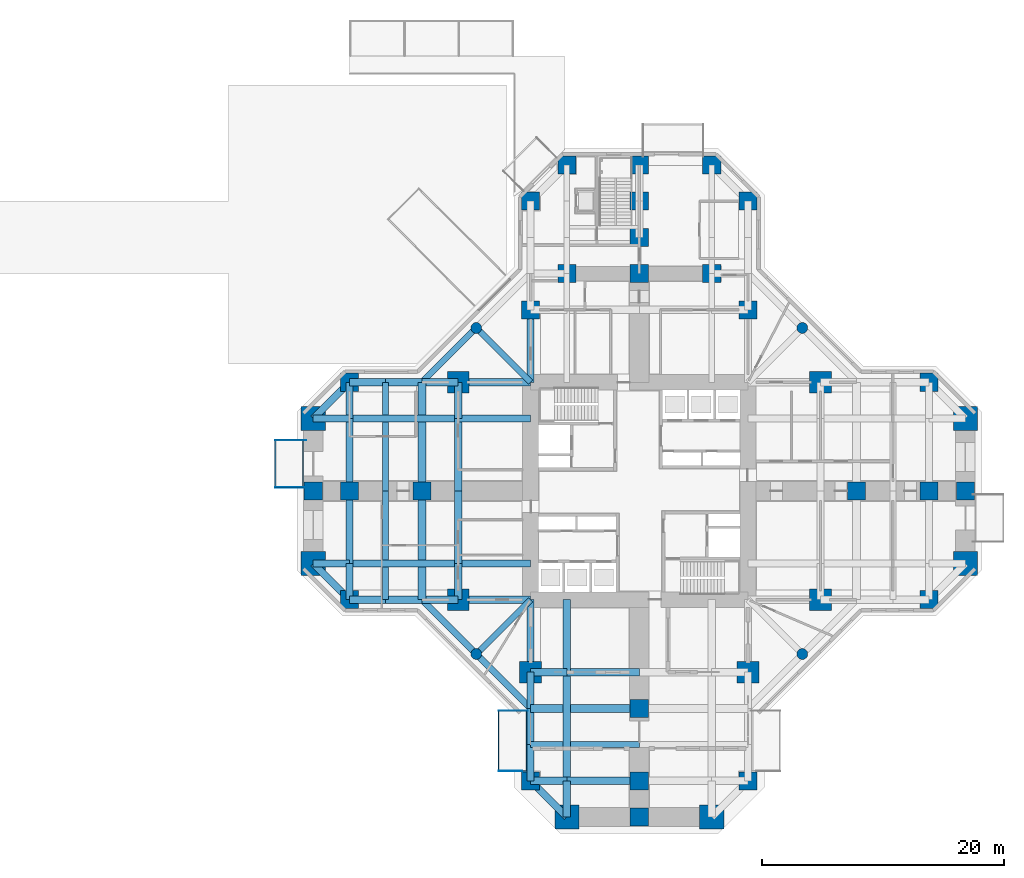
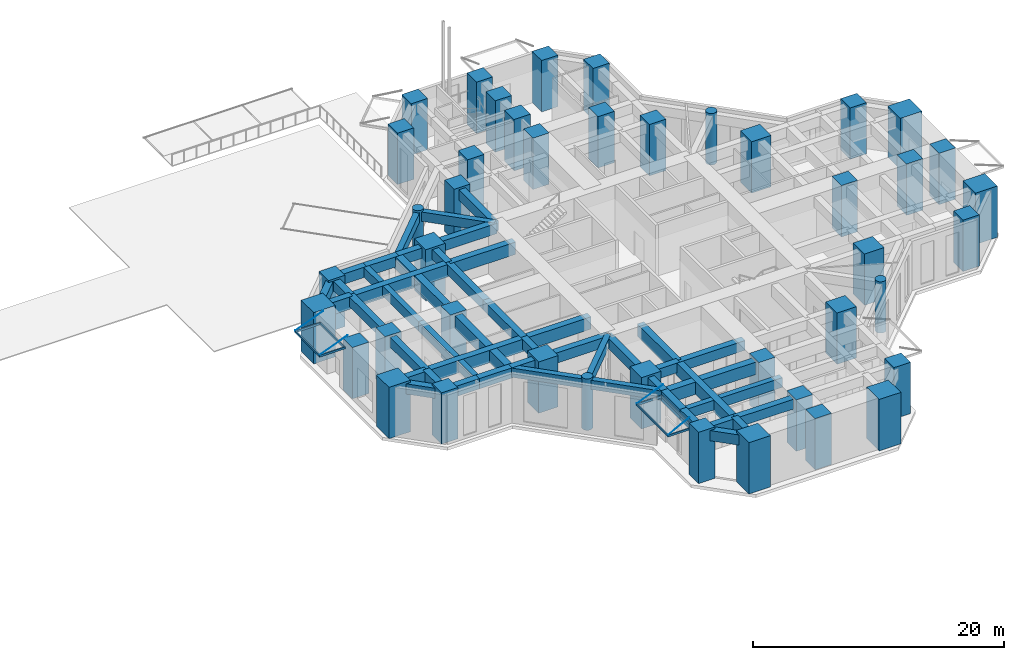
# One storey, part 1 of 14: 54 beams, 43 columns, 12 members.
"""IFC4 building model written with IfcOpenShell, lengths in metres."""

from ifc_helpers import new_model, si_unit, direction, frame, origin, origin_2d, place, context, subcontext, project, spatial, rectangle, hollow_rectangle, circle, extrude, material, material_profile, profile_set, type_object, element, save


model = new_model("IFC4")

# Units and contexts
model_context = context("Model", 3, precision=1e-05, world=origin(), true_north=direction((0.0, 1.0)))
body_context = subcontext(model_context, "Body", "Model", "MODEL_VIEW")
ifc_project = project(units=[si_unit("LENGTHUNIT", "METRE"), si_unit("AREAUNIT", "SQUARE_METRE"), si_unit("VOLUMEUNIT", "CUBIC_METRE"), si_unit("PLANEANGLEUNIT", "RADIAN"), si_unit("MASSUNIT", "GRAM", prefix="KILO")], contexts=[model_context])

# Site, building, storey
site_placement = place(None, origin())
site = spatial("IfcSite", under=ifc_project, at=site_placement, CompositionType="ELEMENT")
building_placement = place(site_placement, origin())
building = spatial("IfcBuilding", under=site, at=building_placement, Name="Torre Cruceta", CompositionType="ELEMENT")
storey_placement = place(building_placement, origin())
storey = spatial("IfcBuildingStorey", under=building, at=storey_placement, Name="L00", CompositionType="ELEMENT", Elevation=0.0)

# Columns
ifc_material_1 = material(Name="Concrete G60 (fck 60 MPa)", Category="concrete")
ifc_material_profile_1 = material_profile(ifc_material_1, rectangle(XDim=1.5, YDim=1.5, at=origin_2d()), Name="RC 1500X1500")
ifc_profile_set_1 = profile_set([ifc_material_profile_1], Name="Concrete G60 (fck 60 MPa)")
column_type_1 = type_object("IfcColumnType", Name="COLUMN RC 1500X1500", PredefinedType="COLUMN", material=ifc_profile_set_1)
for number, where, z_axis, x_axis, name in (
    (1, (9.0, 15.0, 0.0), (0.0, 0.0, 1.0), (1.0, 0.0, 0.0), "C0 L00 N side"),
    (2, (9.0, 24.0, 0.0), (0.0, 0.0, 1.0), (1.0, 0.0, 0.0), "C0 L00 N chamfer"),
    (3, (-9.0, 15.0, 0.0), (0.0, 0.0, 1.0), (1.0, 0.0, 0.0), "C0 L00 N side"),
    (4, (-9.0, 24.0, 0.0), (0.0, 0.0, 1.0), (1.0, 0.0, 0.0), "C0 L00 N chamfer"),
    (5, (6.0, 27.0, 0.0), (0.0, 0.0, 1.0), (1.0, 0.0, 0.0), "C0 L00 N tip"),
    (6, (0.0, 27.0, 0.0), (0.0, 0.0, 1.0), (1.0, 0.0, 0.0), "C0 L00 N tip"),
    (7, (-6.0, 27.0, 0.0), (0.0, 0.0, 1.0), (1.0, 0.0, 0.0), "C0 L00 N tip"),
    (8, (24.0, -9.0, 0.0), (0.0, 0.0, 1.0), (1.0, 0.0, 0.0), "C0 L00 E chamfer"),
    (9, (24.0, 9.0, 0.0), (0.0, 0.0, 1.0), (1.0, 0.0, 0.0), "C0 L00 E chamfer"),
    (10, (27.0, 0.0, 0.0), (0.0, 0.0, 1.0), (1.0, 0.0, 0.0), "C0 L00 E tip"),
    (11, (-9.0, -24.0, 0.0), (0.0, 0.0, 1.0), (1.0, 0.0, 0.0), "C0 L00 S chamfer"),
    (12, (9.0, -24.0, 0.0), (0.0, 0.0, 1.0), (1.0, 0.0, 0.0), "C0 L00 S chamfer"),
    (13, (0.0, -27.0, 0.0), (0.0, 0.0, 1.0), (1.0, 0.0, 0.0), "C0 L00 S tip"),
    (14, (-24.0, 9.0, 0.0), (0.0, 0.0, 1.0), (1.0, 0.0, 0.0), "C0 L00 W chamfer"),
    (15, (-24.0, -9.0, 0.0), (0.0, 0.0, 1.0), (1.0, 0.0, 0.0), "C0 L00 W chamfer"),
    (16, (-27.0, 0.0, 0.0), (0.0, 0.0, 1.0), (1.0, 0.0, 0.0), "C0 L00 W tip"),
    (17, (6.0, 18.0, 0.0), (0.0, 0.0, 1.0), (1.0, 0.0, 0.0), "C0 L00 N interior"),
    (18, (0.0, 18.0, 0.0), (0.0, 0.0, 1.0), (1.0, 0.0, 0.0), "C0 L00 N interior"),
    (19, (-6.0, 18.0, 0.0), (0.0, 0.0, 1.0), (1.0, 0.0, 0.0), "C0 L00 N interior"),
    (20, (0.0, 21.0, 0.0), (0.0, 0.0, 1.0), (1.0, 0.0, 0.0), "C0 L00 N interior"),
    (21, (0.0, 24.0, 0.0), (0.0, 0.0, 1.0), (1.0, 0.0, 0.0), "C0 L00 N interior"),
    (22, (18.0, 0.0, 0.0), (0.0, 0.0, 1.0), (1.0, 0.0, 0.0), "C0 L00 E interior"),
    (23, (24.0, 0.0, 0.0), (0.0, 0.0, 1.0), (1.0, 0.0, 0.0), "C0 L00 E interior"),
    (24, (0.0, -18.0, 0.0), (0.0, 0.0, 1.0), (1.0, 0.0, 0.0), "C0 L00 S interior"),
    (25, (0.0, -24.0, 0.0), (0.0, 0.0, 1.0), (1.0, 0.0, 0.0), "C0 L00 S interior"),
    (26, (-18.0, 0.0, 0.0), (0.0, 0.0, 1.0), (1.0, 0.0, 0.0), "C0 L00 W interior"),
    (27, (-24.0, 0.0, 0.0), (0.0, 0.0, 1.0), (1.0, 0.0, 0.0), "C0 L00 W interior"),
):
    element("IfcColumn", number, at=place(storey_placement, frame(where, z_axis=z_axis, x_axis=x_axis)), inside=storey, type_object=column_type_1, Name=name, PredefinedType="COLUMN", context=body_context, shape_type="SweptSolid", body=[
        extrude(rectangle(XDim=1.5, YDim=1.5, at=origin_2d()), origin(), (0.0, 0.0, 1.0), 5.0),
    ])
ifc_material_2 = material(Name="Concrete G60 (fck 60 MPa)", Category="concrete")
ifc_material_profile_2 = material_profile(ifc_material_2, rectangle(XDim=1.800048828125, YDim=1.800048828125, at=origin_2d()), Name="RC 1800X1800")
ifc_profile_set_2 = profile_set([ifc_material_profile_2], Name="Concrete G60 (fck 60 MPa)")
column_type_2 = type_object("IfcColumnType", Name="COLUMN RC 1800X1800", PredefinedType="COLUMN", material=ifc_profile_set_2)
for number, where, z_axis, x_axis, name in (
    (28, (15.0, -9.0, 0.0), (0.0, 0.0, 1.0), (1.0, 0.0, 0.0), "CB L00 E side"),
    (29, (15.0, 9.0, 0.0), (0.0, 0.0, 1.0), (1.0, 0.0, 0.0), "CB L00 E side"),
    (30, (-9.0, -15.0, 0.0), (0.0, 0.0, 1.0), (1.0, 0.0, 0.0), "CB L00 S side"),
    (31, (9.0, -15.0, 0.0), (0.0, 0.0, 1.0), (1.0, 0.0, 0.0), "CB L00 S side"),
    (32, (-15.0, 9.0, 0.0), (0.0, 0.0, 1.0), (1.0, 0.0, 0.0), "CB L00 W side"),
    (33, (-15.0, -9.0, 0.0), (0.0, 0.0, 1.0), (1.0, 0.0, 0.0), "CB L00 W side"),
):
    element("IfcColumn", number, at=place(storey_placement, frame(where, z_axis=z_axis, x_axis=x_axis)), inside=storey, type_object=column_type_2, Name=name, PredefinedType="COLUMN", context=body_context, shape_type="SweptSolid", body=[
        extrude(rectangle(XDim=1.800048828125, YDim=1.800048828125, at=origin_2d()), origin(), (0.0, 0.0, 1.0), 5.0),
    ])
ifc_material_3 = material(Name="Concrete G60 (fck 60 MPa)", Category="concrete")
ifc_material_profile_3 = material_profile(ifc_material_3, rectangle(XDim=2.0, YDim=2.0, at=origin_2d()), Name="RC 2000X2000")
ifc_profile_set_3 = profile_set([ifc_material_profile_3], Name="Concrete G60 (fck 60 MPa)")
column_type_3 = type_object("IfcColumnType", Name="COLUMN RC 2000X2000", PredefinedType="COLUMN", material=ifc_profile_set_3)
for number, where, z_axis, x_axis, name in (
    (34, (27.0, -6.0, 0.0), (0.0, 0.0, 1.0), (1.0, 0.0, 0.0), "CA L00 E tip"),
    (35, (27.0, 6.0, 0.0), (0.0, 0.0, 1.0), (1.0, 0.0, 0.0), "CA L00 E tip"),
    (36, (-6.0, -27.0, 0.0), (0.0, 0.0, 1.0), (1.0, 0.0, 0.0), "CA L00 S tip"),
    (37, (6.0, -27.0, 0.0), (0.0, 0.0, 1.0), (1.0, 0.0, 0.0), "CA L00 S tip"),
    (38, (-27.0, 6.0, 0.0), (0.0, 0.0, 1.0), (1.0, 0.0, 0.0), "CA L00 W tip"),
    (39, (-27.0, -6.0, 0.0), (0.0, 0.0, 1.0), (1.0, 0.0, 0.0), "CA L00 W tip"),
):
    element("IfcColumn", number, at=place(storey_placement, frame(where, z_axis=z_axis, x_axis=x_axis)), inside=storey, type_object=column_type_3, Name=name, PredefinedType="COLUMN", context=body_context, shape_type="SweptSolid", body=[
        extrude(rectangle(XDim=2.0, YDim=2.0, at=origin_2d()), origin(), (0.0, 0.0, 1.0), 5.0),
    ])
ifc_material_4 = material(Name="Concrete G60 (fck 60 MPa)", Category="concrete")
ifc_material_profile_4 = material_profile(ifc_material_4, circle(Radius=0.449951171875, at=origin_2d()), Name="RC D900")
ifc_profile_set_4 = profile_set([ifc_material_profile_4], Name="Concrete G60 (fck 60 MPa)")
column_type_4 = type_object("IfcColumnType", Name="COLUMN RC D900", PredefinedType="COLUMN", material=ifc_profile_set_4)
for number, where, z_axis, x_axis, name in (
    (40, (-13.5, 13.5, 0.0), (0.0, 0.0, 1.0), (1.0, 0.0, 0.0), "C9 L00 N wing"),
    (41, (13.5, 13.5, 0.0), (0.0, 0.0, 1.0), (1.0, 0.0, 0.0), "C9 L00 E wing"),
    (42, (13.5, -13.5, 0.0), (0.0, 0.0, 1.0), (1.0, 0.0, 0.0), "C9 L00 S wing"),
    (43, (-13.5, -13.5, 0.0), (0.0, 0.0, 1.0), (1.0, 0.0, 0.0), "C9 L00 W wing"),
):
    element("IfcColumn", number, at=place(storey_placement, frame(where, z_axis=z_axis, x_axis=x_axis)), inside=storey, type_object=column_type_4, Name=name, PredefinedType="COLUMN", context=body_context, shape_type="SweptSolid", body=[
        extrude(circle(Radius=0.449951171875, at=origin_2d()), origin(), (0.0, 0.0, 1.0), 5.0),
    ])

# Members
ifc_material_5 = material(Name="Steel S355", Category="steel")
ifc_material_profile_5 = material_profile(ifc_material_5, hollow_rectangle(XDim=0.10009765625, YDim=0.199951171875, WallThickness=0.008056640625, at=origin_2d()), Name="RHS200X100X8")
ifc_profile_set_5 = profile_set([ifc_material_profile_5], Name="Steel S355")
member_type_1 = type_object("IfcMemberType", Name="CANOPY FRAME RHS200X100X8", PredefinedType="USERDEFINED", material=ifc_profile_set_5)
for number, where, z_axis, x_axis, name in (
    (44, (-9.35009765625, -23.14990234375, 4.39990234375), (0.0, 1.0, 0.0), (-1.0, 0.0, 0.0), "CN1 canopy 4 frame B"),
    (45, (-11.64990234375, -23.14990234375, 4.39990234375), (0.0, 1.0, 0.0), (-1.0, 0.0, 0.0), "CN1 canopy 4 frame F"),
):
    element("IfcMember", number, at=place(storey_placement, frame(where, z_axis=z_axis, x_axis=x_axis)), inside=storey, type_object=member_type_1, Name=name, ObjectType="CANOPY FRAME", PredefinedType="USERDEFINED", context=body_context, shape_type="SweptSolid", body=[
        extrude(hollow_rectangle(XDim=0.10009765625, YDim=0.199951171875, WallThickness=0.008056640625, at=origin_2d()), origin(), (0.0, 0.0, 1.0), 4.89990234375),
    ])
for number, where, z_axis, x_axis, name in (
    (46, (-9.300048828125, -23.199951171875, 4.39990234375), (-1.0, 0.0, 0.0), (0.0, -1.0, 0.0), "CN1 canopy 4 frame L"),
    (47, (-9.300048828125, -18.199951171875, 4.39990234375), (-1.0, 0.0, 0.0), (0.0, -1.0, 0.0), "CN1 canopy 4 frame R"),
):
    element("IfcMember", number, at=place(storey_placement, frame(where, z_axis=z_axis, x_axis=x_axis)), inside=storey, type_object=member_type_1, Name=name, ObjectType="CANOPY FRAME", PredefinedType="USERDEFINED", context=body_context, shape_type="SweptSolid", body=[
        extrude(hollow_rectangle(XDim=0.10009765625, YDim=0.199951171875, WallThickness=0.008056640625, at=origin_2d()), origin(), (0.0, 0.0, 1.0), 2.39990234375),
    ])
for number, where, z_axis, x_axis, name in (
    (48, (-27.85009765625, 4.14990234375, 4.39990234375), (0.0, -1.0, 0.0), (1.0, 0.0, 0.0), "CN1 canopy 6 frame B"),
    (49, (-30.14990234375, 4.14990234375, 4.39990234375), (0.0, -1.0, 0.0), (1.0, 0.0, 0.0), "CN1 canopy 6 frame F"),
):
    element("IfcMember", number, at=place(storey_placement, frame(where, z_axis=z_axis, x_axis=x_axis)), inside=storey, type_object=member_type_1, Name=name, ObjectType="CANOPY FRAME", PredefinedType="USERDEFINED", context=body_context, shape_type="SweptSolid", body=[
        extrude(hollow_rectangle(XDim=0.10009765625, YDim=0.199951171875, WallThickness=0.008056640625, at=origin_2d()), origin(), (0.0, 0.0, 1.0), 3.7998046875),
    ])
for number, where, z_axis, x_axis, name in (
    (50, (-27.800048828125, 4.199951171875, 4.39990234375), (-1.0, 0.0, 0.0), (0.0, -1.0, 0.0), "CN1 canopy 6 frame L"),
    (51, (-27.800048828125, 0.300048828125, 4.39990234375), (-1.0, 0.0, 0.0), (0.0, -1.0, 0.0), "CN1 canopy 6 frame R"),
):
    element("IfcMember", number, at=place(storey_placement, frame(where, z_axis=z_axis, x_axis=x_axis)), inside=storey, type_object=member_type_1, Name=name, ObjectType="CANOPY FRAME", PredefinedType="USERDEFINED", context=body_context, shape_type="SweptSolid", body=[
        extrude(hollow_rectangle(XDim=0.10009765625, YDim=0.199951171875, WallThickness=0.008056640625, at=origin_2d()), origin(), (0.0, 0.0, 1.0), 2.39990234375),
    ])
ifc_material_6 = material(Name="Steel S355", Category="steel")
ifc_material_profile_6 = material_profile(ifc_material_6, circle(Radius=0.014892578125, at=origin_2d()), Name="ROD D30")
ifc_profile_set_6 = profile_set([ifc_material_profile_6], Name="Steel S355")
member_type_2 = type_object("IfcMemberType", Name="CANOPY TIE ROD D30", PredefinedType="USERDEFINED", material=ifc_profile_set_6)
member_1_placement = place(storey_placement, frame((-11.64990234375, -23.199951171875, 4.5), z_axis=(0.889812823198, 0.0, 0.456325694731), x_axis=(0.0, 1.0, 0.0)))
element("IfcMember", 52, at=member_1_placement, inside=storey, type_object=member_type_2, Name="CN2 canopy 4 tie rod 1", ObjectType="TIE ROD", PredefinedType="USERDEFINED", context=body_context, shape_type="SweptSolid", body=[
    extrude(circle(Radius=0.014892578125, at=origin_2d()), origin(), (0.0, 0.0, 1.0), 2.19140625),
])
member_2_placement = place(storey_placement, frame((-11.64990234375, -18.199951171875, 4.5), z_axis=(0.923071366561, 0.0, 0.384628719983), x_axis=(0.0, 1.0, 0.0)))
element("IfcMember", 53, at=member_2_placement, inside=storey, type_object=member_type_2, Name="CN2 canopy 4 tie rod 2", ObjectType="TIE ROD", PredefinedType="USERDEFINED", context=body_context, shape_type="SweptSolid", body=[
    extrude(circle(Radius=0.014892578125, at=origin_2d()), origin(), (0.0, 0.0, 1.0), 2.599853515625),
])
for number, where, z_axis, x_axis, name in (
    (54, (-30.14990234375, 4.199951171875, 4.5), (0.930963693221, 0.0, 0.365111766319), (0.0, 1.0, 0.0), "CN2 canopy 6 tie rod 1"),
    (55, (-30.14990234375, 0.300048828125, 4.5), (0.930963693221, 0.0, 0.365111766319), (0.0, 1.0, 0.0), "CN2 canopy 6 tie rod 2"),
):
    element("IfcMember", number, at=place(storey_placement, frame(where, z_axis=z_axis, x_axis=x_axis)), inside=storey, type_object=member_type_2, Name=name, ObjectType="TIE ROD", PredefinedType="USERDEFINED", context=body_context, shape_type="SweptSolid", body=[
        extrude(circle(Radius=0.014892578125, at=origin_2d()), origin(), (0.0, 0.0, 1.0), 2.73876953125),
    ])

# Beams
ifc_material_7 = material(Name="Concrete G60 (fck 60 MPa)", Category="concrete")
ifc_material_profile_7 = material_profile(ifc_material_7, rectangle(XDim=0.60009765625, YDim=1.199951171875, at=origin_2d()), Name="RC 600X1200")
ifc_profile_set_7 = profile_set([ifc_material_profile_7], Name="Concrete G60 (fck 60 MPa)")
beam_type_1 = type_object("IfcBeamType", Name="COLUMN LINE BEAM RC 600X1200", PredefinedType="BEAM", material=ifc_profile_set_7)
beam_1_placement = place(storey_placement, frame((-6.0, -9.0, 4.199951171875), z_axis=(0.0, -1.0, 0.0), x_axis=(1.0, 0.0, 0.0)))
element("IfcBeam", 56, at=beam_1_placement, inside=storey, type_object=beam_type_1, Name="LB2 L00 S col- 1", PredefinedType="BEAM", context=body_context, shape_type="SweptSolid", body=[
    extrude(rectangle(XDim=0.60009765625, YDim=1.199951171875, at=origin_2d()), origin(), (0.0, 0.0, 1.0), 6.0),
])
beam_2_placement = place(storey_placement, frame((-6.0, -15.0, 4.199951171875), z_axis=(0.0, -1.0, 0.0), x_axis=(1.0, 0.0, 0.0)))
element("IfcBeam", 57, at=beam_2_placement, inside=storey, type_object=beam_type_1, Name="LB2 L00 S col- 2", PredefinedType="BEAM", context=body_context, shape_type="SweptSolid", body=[
    extrude(rectangle(XDim=0.60009765625, YDim=1.199951171875, at=origin_2d()), origin(), (0.0, 0.0, 1.0), 9.0),
])
beam_3_placement = place(storey_placement, frame((-6.0, -24.0, 4.199951171875), z_axis=(0.0, -1.0, 0.0), x_axis=(1.0, 0.0, 0.0)))
element("IfcBeam", 58, at=beam_3_placement, inside=storey, type_object=beam_type_1, Name="LB2 L00 S col- 5", PredefinedType="BEAM", context=body_context, shape_type="SweptSolid", body=[
    extrude(rectangle(XDim=0.60009765625, YDim=1.199951171875, at=origin_2d()), origin(), (0.0, 0.0, 1.0), 3.0),
])
beam_4_placement = place(storey_placement, frame((-9.0, 6.0, 4.199951171875), z_axis=(-1.0, 0.0, 0.0), x_axis=(0.0, -1.0, 0.0)))
element("IfcBeam", 59, at=beam_4_placement, inside=storey, type_object=beam_type_1, Name="LB2 L00 W col- 1", PredefinedType="BEAM", context=body_context, shape_type="SweptSolid", body=[
    extrude(rectangle(XDim=0.60009765625, YDim=1.199951171875, at=origin_2d()), origin(), (0.0, 0.0, 1.0), 6.0),
])
beam_5_placement = place(storey_placement, frame((-15.0, 6.0, 4.199951171875), z_axis=(-1.0, 0.0, 0.0), x_axis=(0.0, -1.0, 0.0)))
element("IfcBeam", 60, at=beam_5_placement, inside=storey, type_object=beam_type_1, Name="LB2 L00 W col- 2", PredefinedType="BEAM", context=body_context, shape_type="SweptSolid", body=[
    extrude(rectangle(XDim=0.60009765625, YDim=1.199951171875, at=origin_2d()), origin(), (0.0, 0.0, 1.0), 9.0),
])
beam_6_placement = place(storey_placement, frame((-24.0, 6.0, 4.199951171875), z_axis=(-1.0, 0.0, 0.0), x_axis=(0.0, -1.0, 0.0)))
element("IfcBeam", 61, at=beam_6_placement, inside=storey, type_object=beam_type_1, Name="LB2 L00 W col- 5", PredefinedType="BEAM", context=body_context, shape_type="SweptSolid", body=[
    extrude(rectangle(XDim=0.60009765625, YDim=1.199951171875, at=origin_2d()), origin(), (0.0, 0.0, 1.0), 3.0),
])
beam_7_placement = place(storey_placement, frame((-9.0, -6.0, 4.199951171875), z_axis=(-1.0, 0.0, 0.0), x_axis=(0.0, -1.0, 0.0)))
element("IfcBeam", 62, at=beam_7_placement, inside=storey, type_object=beam_type_1, Name="LB2 L00 W col+ 1", PredefinedType="BEAM", context=body_context, shape_type="SweptSolid", body=[
    extrude(rectangle(XDim=0.60009765625, YDim=1.199951171875, at=origin_2d()), origin(), (0.0, 0.0, 1.0), 6.0),
])
beam_8_placement = place(storey_placement, frame((-15.0, -6.0, 4.199951171875), z_axis=(-1.0, 0.0, 0.0), x_axis=(0.0, -1.0, 0.0)))
element("IfcBeam", 63, at=beam_8_placement, inside=storey, type_object=beam_type_1, Name="LB2 L00 W col+ 2", PredefinedType="BEAM", context=body_context, shape_type="SweptSolid", body=[
    extrude(rectangle(XDim=0.60009765625, YDim=1.199951171875, at=origin_2d()), origin(), (0.0, 0.0, 1.0), 9.0),
])
beam_9_placement = place(storey_placement, frame((-24.0, -6.0, 4.199951171875), z_axis=(-1.0, 0.0, 0.0), x_axis=(0.0, -1.0, 0.0)))
element("IfcBeam", 64, at=beam_9_placement, inside=storey, type_object=beam_type_1, Name="LB2 L00 W col+ 5", PredefinedType="BEAM", context=body_context, shape_type="SweptSolid", body=[
    extrude(rectangle(XDim=0.60009765625, YDim=1.199951171875, at=origin_2d()), origin(), (0.0, 0.0, 1.0), 3.0),
])
ifc_material_8 = material(Name="Concrete G60 (fck 60 MPa)", Category="concrete")
ifc_material_profile_8 = material_profile(ifc_material_8, rectangle(XDim=0.60009765625, YDim=0.949951171875, at=origin_2d()), Name="RC 600X950")
ifc_profile_set_8 = profile_set([ifc_material_profile_8], Name="Concrete G60 (fck 60 MPa)")
beam_type_2 = type_object("IfcBeamType", Name="CROSS BEAM RC 600X950", PredefinedType="BEAM", material=ifc_profile_set_8)
beam_10_placement = place(storey_placement, frame((-9.0, -15.0, 4.324951171875), z_axis=(1.0, 0.0, 0.0), x_axis=(0.0, 1.0, 0.0)))
element("IfcBeam", 65, at=beam_10_placement, inside=storey, type_object=beam_type_2, Name="GB1 L00 S cross15 1", PredefinedType="BEAM", context=body_context, shape_type="SweptSolid", body=[
    extrude(rectangle(XDim=0.60009765625, YDim=0.949951171875, at=origin_2d()), origin(), (0.0, 0.0, 1.0), 3.0),
])
beam_11_placement = place(storey_placement, frame((-6.0, -15.0, 4.324951171875), z_axis=(1.0, 0.0, 0.0), x_axis=(0.0, 1.0, 0.0)))
element("IfcBeam", 66, at=beam_11_placement, inside=storey, type_object=beam_type_2, Name="GB1 L00 S cross15 2", PredefinedType="BEAM", context=body_context, shape_type="SweptSolid", body=[
    extrude(rectangle(XDim=0.60009765625, YDim=0.949951171875, at=origin_2d()), origin(), (0.0, 0.0, 1.0), 6.0),
])
beam_12_placement = place(storey_placement, frame((-9.0, -24.0, 4.324951171875), z_axis=(1.0, 0.0, 0.0), x_axis=(0.0, 1.0, 0.0)))
element("IfcBeam", 67, at=beam_12_placement, inside=storey, type_object=beam_type_2, Name="GB1 L00 S cross24 1", PredefinedType="BEAM", context=body_context, shape_type="SweptSolid", body=[
    extrude(rectangle(XDim=0.60009765625, YDim=0.949951171875, at=origin_2d()), origin(), (0.0, 0.0, 1.0), 3.0),
])
beam_13_placement = place(storey_placement, frame((-6.0, -24.0, 4.324951171875), z_axis=(1.0, 0.0, 0.0), x_axis=(0.0, 1.0, 0.0)))
element("IfcBeam", 68, at=beam_13_placement, inside=storey, type_object=beam_type_2, Name="GB1 L00 S cross24 2", PredefinedType="BEAM", context=body_context, shape_type="SweptSolid", body=[
    extrude(rectangle(XDim=0.60009765625, YDim=0.949951171875, at=origin_2d()), origin(), (0.0, 0.0, 1.0), 6.0),
])
beam_14_placement = place(storey_placement, frame((-15.0, 9.0, 4.324951171875), z_axis=(0.0, -1.0, 0.0), x_axis=(1.0, 0.0, 0.0)))
element("IfcBeam", 69, at=beam_14_placement, inside=storey, type_object=beam_type_2, Name="GB1 L00 W cross15 1", PredefinedType="BEAM", context=body_context, shape_type="SweptSolid", body=[
    extrude(rectangle(XDim=0.60009765625, YDim=0.949951171875, at=origin_2d()), origin(), (0.0, 0.0, 1.0), 3.0),
])
for number, where, z_axis, x_axis, name in (
    (70, (-15.0, 6.0, 4.324951171875), (0.0, -1.0, 0.0), (1.0, 0.0, 0.0), "GB1 L00 W cross15 2"),
    (71, (-15.0, 0.0, 4.324951171875), (0.0, -1.0, 0.0), (1.0, 0.0, 0.0), "GB1 L00 W cross15 3"),
):
    element("IfcBeam", number, at=place(storey_placement, frame(where, z_axis=z_axis, x_axis=x_axis)), inside=storey, type_object=beam_type_2, Name=name, PredefinedType="BEAM", context=body_context, shape_type="SweptSolid", body=[
        extrude(rectangle(XDim=0.60009765625, YDim=0.949951171875, at=origin_2d()), origin(), (0.0, 0.0, 1.0), 6.0),
    ])
for number, where, z_axis, x_axis, name in (
    (72, (-15.0, -6.0, 4.324951171875), (0.0, -1.0, 0.0), (1.0, 0.0, 0.0), "GB1 L00 W cross15 4"),
    (73, (-24.0, 9.0, 4.324951171875), (0.0, -1.0, 0.0), (1.0, 0.0, 0.0), "GB1 L00 W cross24 1"),
):
    element("IfcBeam", number, at=place(storey_placement, frame(where, z_axis=z_axis, x_axis=x_axis)), inside=storey, type_object=beam_type_2, Name=name, PredefinedType="BEAM", context=body_context, shape_type="SweptSolid", body=[
        extrude(rectangle(XDim=0.60009765625, YDim=0.949951171875, at=origin_2d()), origin(), (0.0, 0.0, 1.0), 3.0),
    ])
for number, where, z_axis, x_axis, name in (
    (74, (-24.0, 6.0, 4.324951171875), (0.0, -1.0, 0.0), (1.0, 0.0, 0.0), "GB1 L00 W cross24 2"),
    (75, (-24.0, 0.0, 4.324951171875), (0.0, -1.0, 0.0), (1.0, 0.0, 0.0), "GB1 L00 W cross24 3"),
):
    element("IfcBeam", number, at=place(storey_placement, frame(where, z_axis=z_axis, x_axis=x_axis)), inside=storey, type_object=beam_type_2, Name=name, PredefinedType="BEAM", context=body_context, shape_type="SweptSolid", body=[
        extrude(rectangle(XDim=0.60009765625, YDim=0.949951171875, at=origin_2d()), origin(), (0.0, 0.0, 1.0), 6.0),
    ])
beam_15_placement = place(storey_placement, frame((-24.0, -6.0, 4.324951171875), z_axis=(0.0, -1.0, 0.0), x_axis=(1.0, 0.0, 0.0)))
element("IfcBeam", 76, at=beam_15_placement, inside=storey, type_object=beam_type_2, Name="GB1 L00 W cross24 4", PredefinedType="BEAM", context=body_context, shape_type="SweptSolid", body=[
    extrude(rectangle(XDim=0.60009765625, YDim=0.949951171875, at=origin_2d()), origin(), (0.0, 0.0, 1.0), 3.0),
])
ifc_material_9 = material(Name="Concrete G60 (fck 60 MPa)", Category="concrete")
ifc_material_profile_9 = material_profile(ifc_material_9, rectangle(XDim=0.64990234375, YDim=1.199951171875, at=origin_2d()), Name="RC 650X1200")
ifc_profile_set_9 = profile_set([ifc_material_profile_9], Name="Concrete G60 (fck 60 MPa)")
beam_type_3 = type_object("IfcBeamType", Name="CROSS BEAM RC 650X1200", PredefinedType="BEAM", material=ifc_profile_set_9)
beam_16_placement = place(storey_placement, frame((-9.0, -18.0, 4.199951171875), z_axis=(1.0, 0.0, 0.0), x_axis=(0.0, 1.0, 0.0)))
element("IfcBeam", 77, at=beam_16_placement, inside=storey, type_object=beam_type_3, Name="GB2 L00 S cross18 1", PredefinedType="BEAM", context=body_context, shape_type="SweptSolid", body=[
    extrude(rectangle(XDim=0.64990234375, YDim=1.199951171875, at=origin_2d()), origin(), (0.0, 0.0, 1.0), 2.699951171875),
])
beam_17_placement = place(storey_placement, frame((-5.699951171875, -18.0, 4.199951171875), z_axis=(1.0, 0.0, 0.0), x_axis=(0.0, 1.0, 0.0)))
element("IfcBeam", 78, at=beam_17_placement, inside=storey, type_object=beam_type_3, Name="GB2 L00 S cross18 2", PredefinedType="BEAM", context=body_context, shape_type="SweptSolid", body=[
    extrude(rectangle(XDim=0.64990234375, YDim=1.199951171875, at=origin_2d()), origin(), (0.0, 0.0, 1.0), 5.699951171875),
])
beam_18_placement = place(storey_placement, frame((-18.0, 9.0, 4.199951171875), z_axis=(0.0, -1.0, 0.0), x_axis=(1.0, 0.0, 0.0)))
element("IfcBeam", 79, at=beam_18_placement, inside=storey, type_object=beam_type_3, Name="GB2 L00 W cross18 1", PredefinedType="BEAM", context=body_context, shape_type="SweptSolid", body=[
    extrude(rectangle(XDim=0.64990234375, YDim=1.199951171875, at=origin_2d()), origin(), (0.0, 0.0, 1.0), 2.699951171875),
])
for number, where, z_axis, x_axis, name in (
    (80, (-18.0, 5.699951171875, 4.199951171875), (0.0, -1.0, 0.0), (1.0, 0.0, 0.0), "GB2 L00 W cross18 2"),
    (81, (-18.0, 0.0, 4.199951171875), (0.0, -1.0, 0.0), (1.0, 0.0, 0.0), "GB2 L00 W cross18 3"),
):
    element("IfcBeam", number, at=place(storey_placement, frame(where, z_axis=z_axis, x_axis=x_axis)), inside=storey, type_object=beam_type_3, Name=name, PredefinedType="BEAM", context=body_context, shape_type="SweptSolid", body=[
        extrude(rectangle(XDim=0.64990234375, YDim=1.199951171875, at=origin_2d()), origin(), (0.0, 0.0, 1.0), 5.699951171875),
    ])
beam_19_placement = place(storey_placement, frame((-18.0, -6.300048828125, 4.199951171875), z_axis=(0.0, -1.0, 0.0), x_axis=(1.0, 0.0, 0.0)))
element("IfcBeam", 82, at=beam_19_placement, inside=storey, type_object=beam_type_3, Name="GB2 L00 W cross18 4", PredefinedType="BEAM", context=body_context, shape_type="SweptSolid", body=[
    extrude(rectangle(XDim=0.64990234375, YDim=1.199951171875, at=origin_2d()), origin(), (0.0, 0.0, 1.0), 2.699951171875),
])
ifc_material_10 = material(Name="Concrete G60 (fck 60 MPa)", Category="concrete")
ifc_material_profile_10 = material_profile(ifc_material_10, rectangle(XDim=0.5, YDim=0.949951171875, at=origin_2d()), Name="RC 500X950")
ifc_profile_set_10 = profile_set([ifc_material_profile_10], Name="Concrete G60 (fck 60 MPa)")
beam_type_4 = type_object("IfcBeamType", Name="SECONDARY BEAM RC 500X950", PredefinedType="JOIST", material=ifc_profile_set_10)
beam_20_placement = place(storey_placement, frame((-9.0, -21.0, 4.324951171875), z_axis=(1.0, 0.0, 0.0), x_axis=(0.0, 1.0, 0.0)))
element("IfcBeam", 83, at=beam_20_placement, inside=storey, type_object=beam_type_4, Name="JB2 L00 S sec21 1", PredefinedType="JOIST", context=body_context, shape_type="SweptSolid", body=[
    extrude(rectangle(XDim=0.5, YDim=0.949951171875, at=origin_2d()), origin(), (0.0, 0.0, 1.0), 2.699951171875),
])
beam_21_placement = place(storey_placement, frame((-5.699951171875, -21.0, 4.324951171875), z_axis=(1.0, 0.0, 0.0), x_axis=(0.0, 1.0, 0.0)))
element("IfcBeam", 84, at=beam_21_placement, inside=storey, type_object=beam_type_4, Name="JB2 L00 S sec21 2", PredefinedType="JOIST", context=body_context, shape_type="SweptSolid", body=[
    extrude(rectangle(XDim=0.5, YDim=0.949951171875, at=origin_2d()), origin(), (0.0, 0.0, 1.0), 5.699951171875),
])
beam_22_placement = place(storey_placement, frame((-21.0, 9.0, 4.324951171875), z_axis=(0.0, -1.0, 0.0), x_axis=(1.0, 0.0, 0.0)))
element("IfcBeam", 85, at=beam_22_placement, inside=storey, type_object=beam_type_4, Name="JB2 L00 W sec21 1", PredefinedType="JOIST", context=body_context, shape_type="SweptSolid", body=[
    extrude(rectangle(XDim=0.5, YDim=0.949951171875, at=origin_2d()), origin(), (0.0, 0.0, 1.0), 2.699951171875),
])
for number, where, z_axis, x_axis, name in (
    (86, (-21.0, 5.699951171875, 4.324951171875), (0.0, -1.0, 0.0), (1.0, 0.0, 0.0), "JB2 L00 W sec21 2"),
    (87, (-21.0, 0.0, 4.324951171875), (0.0, -1.0, 0.0), (1.0, 0.0, 0.0), "JB2 L00 W sec21 3"),
):
    element("IfcBeam", number, at=place(storey_placement, frame(where, z_axis=z_axis, x_axis=x_axis)), inside=storey, type_object=beam_type_4, Name=name, PredefinedType="JOIST", context=body_context, shape_type="SweptSolid", body=[
        extrude(rectangle(XDim=0.5, YDim=0.949951171875, at=origin_2d()), origin(), (0.0, 0.0, 1.0), 5.699951171875),
    ])
beam_23_placement = place(storey_placement, frame((-21.0, -6.300048828125, 4.324951171875), z_axis=(0.0, -1.0, 0.0), x_axis=(1.0, 0.0, 0.0)))
element("IfcBeam", 88, at=beam_23_placement, inside=storey, type_object=beam_type_4, Name="JB2 L00 W sec21 4", PredefinedType="JOIST", context=body_context, shape_type="SweptSolid", body=[
    extrude(rectangle(XDim=0.5, YDim=0.949951171875, at=origin_2d()), origin(), (0.0, 0.0, 1.0), 2.699951171875),
])
ifc_material_11 = material(Name="Concrete G60 (fck 60 MPa)", Category="concrete")
ifc_material_profile_11 = material_profile(ifc_material_11, rectangle(XDim=0.60009765625, YDim=1.0, at=origin_2d()), Name="RC 600X1000")
ifc_profile_set_11 = profile_set([ifc_material_profile_11], Name="Concrete G60 (fck 60 MPa)")
beam_type_5 = type_object("IfcBeamType", Name="SPANDREL BEAM RC 600X1000", PredefinedType="SPANDREL", material=ifc_profile_set_11)
for number, where, z_axis, x_axis, name in (
    (89, (-9.0, 9.0, 4.300048828125), (0.0, 1.0, 0.0), (-1.0, 0.0, 0.0), "SB1 L00 N side+ 1"),
    (90, (-9.0, -9.0, 4.300048828125), (0.0, -1.0, 0.0), (1.0, 0.0, 0.0), "SB1 L00 S side- 1"),
):
    element("IfcBeam", number, at=place(storey_placement, frame(where, z_axis=z_axis, x_axis=x_axis)), inside=storey, type_object=beam_type_5, Name=name, PredefinedType="SPANDREL", context=body_context, shape_type="SweptSolid", body=[
        extrude(rectangle(XDim=0.60009765625, YDim=1.0, at=origin_2d()), origin(), (0.0, 0.0, 1.0), 6.0),
    ])
for number, where, z_axis, x_axis, name in (
    (91, (-9.0, -15.0, 4.300048828125), (0.0, -1.0, 0.0), (1.0, 0.0, 0.0), "SB1 L00 S side- 2"),
    (92, (-9.0, -18.0, 4.300048828125), (0.0, -1.0, 0.0), (1.0, 0.0, 0.0), "SB1 L00 S side- 3"),
    (93, (-9.0, -21.0, 4.300048828125), (0.0, -1.0, 0.0), (1.0, 0.0, 0.0), "SB1 L00 S side- 4"),
):
    element("IfcBeam", number, at=place(storey_placement, frame(where, z_axis=z_axis, x_axis=x_axis)), inside=storey, type_object=beam_type_5, Name=name, PredefinedType="SPANDREL", context=body_context, shape_type="SweptSolid", body=[
        extrude(rectangle(XDim=0.60009765625, YDim=1.0, at=origin_2d()), origin(), (0.0, 0.0, 1.0), 3.0),
    ])
beam_24_placement = place(storey_placement, frame((-9.0, -24.0, 4.300048828125), z_axis=(0.707106781187, -0.707106781187, 0.0), x_axis=(0.707106781187, 0.707106781187, 0.0)))
element("IfcBeam", 94, at=beam_24_placement, inside=storey, type_object=beam_type_5, Name="SB1 L00 S side- 5", PredefinedType="SPANDREL", context=body_context, shape_type="SweptSolid", body=[
    extrude(rectangle(XDim=0.60009765625, YDim=1.0, at=origin_2d()), origin(), (0.0, 0.0, 1.0), 4.24267578125),
])
beam_25_placement = place(storey_placement, frame((-9.0, 9.0, 4.300048828125), z_axis=(-1.0, 0.0, 0.0), x_axis=(0.0, -1.0, 0.0)))
element("IfcBeam", 95, at=beam_25_placement, inside=storey, type_object=beam_type_5, Name="SB1 L00 W side- 1", PredefinedType="SPANDREL", context=body_context, shape_type="SweptSolid", body=[
    extrude(rectangle(XDim=0.60009765625, YDim=1.0, at=origin_2d()), origin(), (0.0, 0.0, 1.0), 6.0),
])
for number, where, z_axis, x_axis, name in (
    (96, (-15.0, 9.0, 4.300048828125), (-1.0, 0.0, 0.0), (0.0, -1.0, 0.0), "SB1 L00 W side- 2"),
    (97, (-18.0, 9.0, 4.300048828125), (-1.0, 0.0, 0.0), (0.0, -1.0, 0.0), "SB1 L00 W side- 3"),
    (98, (-21.0, 9.0, 4.300048828125), (-1.0, 0.0, 0.0), (0.0, -1.0, 0.0), "SB1 L00 W side- 4"),
):
    element("IfcBeam", number, at=place(storey_placement, frame(where, z_axis=z_axis, x_axis=x_axis)), inside=storey, type_object=beam_type_5, Name=name, PredefinedType="SPANDREL", context=body_context, shape_type="SweptSolid", body=[
        extrude(rectangle(XDim=0.60009765625, YDim=1.0, at=origin_2d()), origin(), (0.0, 0.0, 1.0), 3.0),
    ])
beam_26_placement = place(storey_placement, frame((-24.0, 9.0, 4.300048828125), z_axis=(-0.707106781187, -0.707106781187, 0.0), x_axis=(0.707106781187, -0.707106781187, 0.0)))
element("IfcBeam", 99, at=beam_26_placement, inside=storey, type_object=beam_type_5, Name="SB1 L00 W side- 5", PredefinedType="SPANDREL", context=body_context, shape_type="SweptSolid", body=[
    extrude(rectangle(XDim=0.60009765625, YDim=1.0, at=origin_2d()), origin(), (0.0, 0.0, 1.0), 4.24267578125),
])
beam_27_placement = place(storey_placement, frame((-9.0, -9.0, 4.300048828125), z_axis=(-1.0, 0.0, 0.0), x_axis=(0.0, -1.0, 0.0)))
element("IfcBeam", 100, at=beam_27_placement, inside=storey, type_object=beam_type_5, Name="SB1 L00 W side+ 1", PredefinedType="SPANDREL", context=body_context, shape_type="SweptSolid", body=[
    extrude(rectangle(XDim=0.60009765625, YDim=1.0, at=origin_2d()), origin(), (0.0, 0.0, 1.0), 6.0),
])
for number, where, z_axis, x_axis, name in (
    (101, (-15.0, -9.0, 4.300048828125), (-1.0, 0.0, 0.0), (0.0, -1.0, 0.0), "SB1 L00 W side+ 2"),
    (102, (-18.0, -9.0, 4.300048828125), (-1.0, 0.0, 0.0), (0.0, -1.0, 0.0), "SB1 L00 W side+ 3"),
    (103, (-21.0, -9.0, 4.300048828125), (-1.0, 0.0, 0.0), (0.0, -1.0, 0.0), "SB1 L00 W side+ 4"),
):
    element("IfcBeam", number, at=place(storey_placement, frame(where, z_axis=z_axis, x_axis=x_axis)), inside=storey, type_object=beam_type_5, Name=name, PredefinedType="SPANDREL", context=body_context, shape_type="SweptSolid", body=[
        extrude(rectangle(XDim=0.60009765625, YDim=1.0, at=origin_2d()), origin(), (0.0, 0.0, 1.0), 3.0),
    ])
beam_28_placement = place(storey_placement, frame((-24.0, -9.0, 4.300048828125), z_axis=(-0.707106781187, 0.707106781187, 0.0), x_axis=(-0.707106781187, -0.707106781187, 0.0)))
element("IfcBeam", 104, at=beam_28_placement, inside=storey, type_object=beam_type_5, Name="SB1 L00 W side+ 5", PredefinedType="SPANDREL", context=body_context, shape_type="SweptSolid", body=[
    extrude(rectangle(XDim=0.60009765625, YDim=1.0, at=origin_2d()), origin(), (0.0, 0.0, 1.0), 4.24267578125),
])
ifc_material_12 = material(Name="Concrete G60 (fck 60 MPa)", Category="concrete")
ifc_material_profile_12 = material_profile(ifc_material_12, rectangle(XDim=0.5, YDim=0.89990234375, at=origin_2d()), Name="RC 500X900")
ifc_profile_set_12 = profile_set([ifc_material_profile_12], Name="Concrete G60 (fck 60 MPa)")
beam_type_6 = type_object("IfcBeamType", Name="WING EDGE BEAM RC 500X900", PredefinedType="BEAM", material=ifc_profile_set_12)
for number, where, z_axis, x_axis, name in (
    (105, (-13.5, 13.5, 4.35009765625), (-0.707106781187, -0.707106781187, 0.0), (0.707106781187, -0.707106781187, 0.0), "WB1 L00 N wing 2"),
    (106, (-9.0, 9.0, 4.35009765625), (-0.707106781187, 0.707106781187, 0.0), (-0.707106781187, -0.707106781187, 0.0), "WB1 L00 N wingtie 1"),
    (107, (-18.0, -9.0, 4.35009765625), (0.707106781187, -0.707106781187, 0.0), (0.707106781187, 0.707106781187, 0.0), "WB1 L00 W wing 1"),
    (108, (-13.5, -13.5, 4.35009765625), (0.707106781187, -0.707106781187, 0.0), (0.707106781187, 0.707106781187, 0.0), "WB1 L00 W wing 2"),
    (109, (-9.0, -9.0, 4.35009765625), (-0.707106781187, -0.707106781187, 0.0), (0.707106781187, -0.707106781187, 0.0), "WB1 L00 W wingtie 1"),
):
    element("IfcBeam", number, at=place(storey_placement, frame(where, z_axis=z_axis, x_axis=x_axis)), inside=storey, type_object=beam_type_6, Name=name, PredefinedType="BEAM", context=body_context, shape_type="SweptSolid", body=[
        extrude(rectangle(XDim=0.5, YDim=0.89990234375, at=origin_2d()), origin(), (0.0, 0.0, 1.0), 6.364013671875),
    ])

save(model, "model.ifc")
